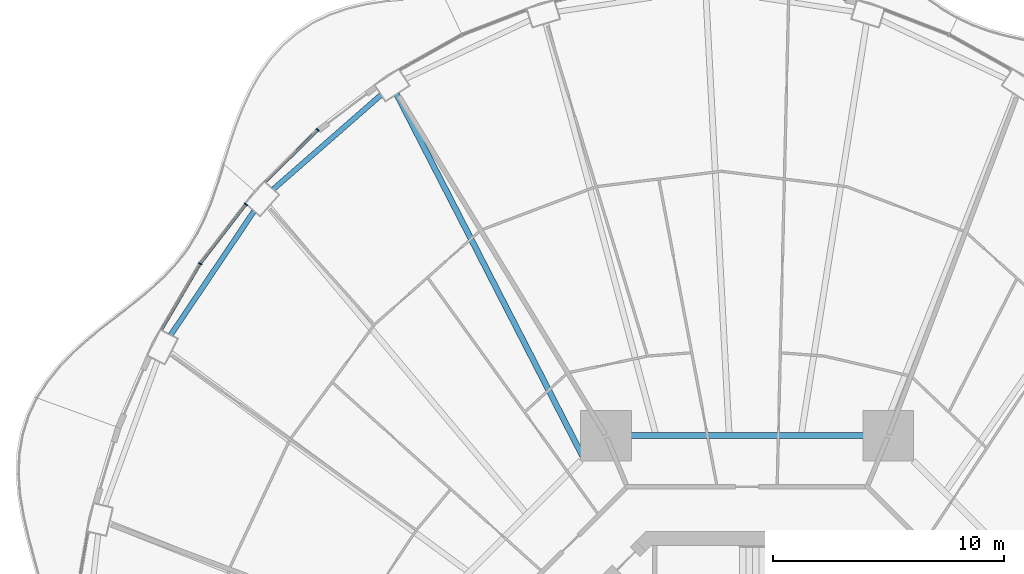
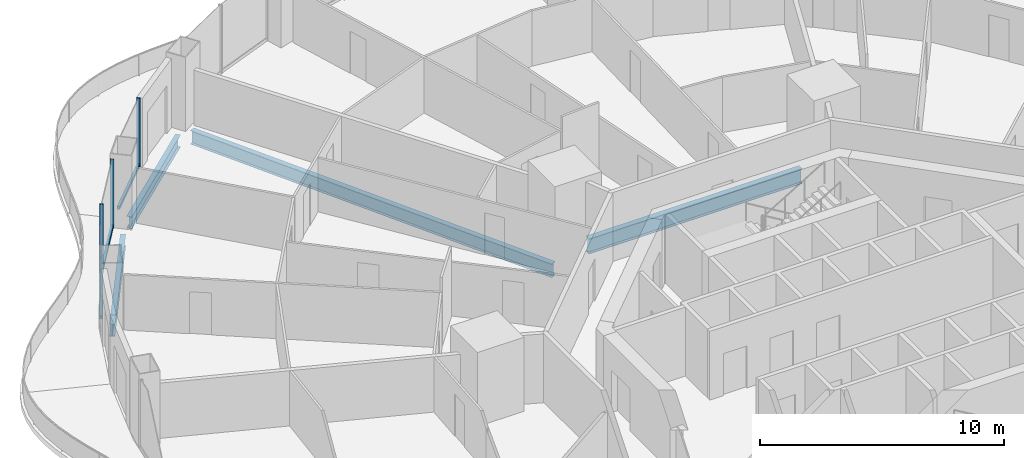
# One storey, part 8 of 22: 6 members, 4 beams, 3 elements without a shape of their own.
"""IFC4 building model written with IfcOpenShell, lengths in metres."""

from ifc_helpers import new_model, si_unit, direction, frame, origin, origin_2d, place, context, subcontext, project, spatial, rectangle, i_section, extrude, material, layer, layer_set, material_profile, profile_set, type_object, element, aggregate, save


model = new_model("IFC4")

# Units and contexts
model_context = context("Model", 3, precision=1e-05, world=origin(), true_north=direction((0.0, 1.0)))
body_context = subcontext(model_context, "Body", "Model", "MODEL_VIEW")
ifc_project = project(units=[si_unit("LENGTHUNIT", "METRE"), si_unit("AREAUNIT", "SQUARE_METRE"), si_unit("VOLUMEUNIT", "CUBIC_METRE"), si_unit("PLANEANGLEUNIT", "RADIAN"), si_unit("MASSUNIT", "GRAM", prefix="KILO")], contexts=[model_context])

# Site, building, storey
site_placement = place(None, origin())
site = spatial("IfcSite", under=ifc_project, at=site_placement, CompositionType="ELEMENT")
building_placement = place(site_placement, origin())
building = spatial("IfcBuilding", under=site, at=building_placement, Name="Nagisa Residences", CompositionType="ELEMENT")
storey_placement = place(building_placement, frame((0.0, 0.0, 99.199951171875)))
storey = spatial("IfcBuildingStorey", under=building, at=storey_placement, Name="L24", CompositionType="ELEMENT", Elevation=99.199951171875)

# Curtain wall, member
ifc_material_1 = material(Name="Concrete-coloured aluminium curtain wall system", Category="concrete")
ifc_layer = layer(ifc_material_1, 0.159912109375)
ifc_layer_set = layer_set([ifc_layer], Name="CW1 CURTAIN WALL")
curtain_wall_type = type_object("IfcCurtainWallType", Name="CW1 CURTAIN WALL", PredefinedType="NOTDEFINED", material=ifc_layer_set)
curtain_wall_1_placement = place(storey_placement, origin())
curtain_wall_1 = element("IfcCurtainWall", 1, at=curtain_wall_1_placement, inside=storey, type_object=curtain_wall_type, Name="cw:CW1:L24:17", PredefinedType="NOTDEFINED")
ifc_material_2 = material(Name="Concrete-coloured aluminium", Category="concrete")
ifc_material_profile_1 = material_profile(ifc_material_2, rectangle(XDim=0.159912109375, YDim=0.06005859375, at=origin_2d()), Name="CW1 MULLION 160x60")
ifc_profile_set_1 = profile_set([ifc_material_profile_1], Name="Concrete-coloured aluminium")
member_type_1 = type_object("IfcMemberType", Name="CW1 MULLION 160x60", PredefinedType="MULLION", material=ifc_profile_set_1)
member_1_placement = place(storey_placement, frame((-18.624267578125, 28.04248046875, 0.0), z_axis=(0.0, 0.0, 1.0), x_axis=(0.706376885714, -0.707835924016, 0.0)))
member_1 = element("IfcMember", 2, at=member_1_placement, type_object=member_type_1, Name="CW1 mullion", PredefinedType="MULLION", context=body_context, shape_type="SweptSolid", body=[
    extrude(rectangle(XDim=0.159912109375, YDim=0.06005859375, at=origin_2d()), origin(), (0.0, 0.0, 1.0), 3.43994140625),
])

curtain_wall_2_placement = place(storey_placement, origin())
curtain_wall_2 = element("IfcCurtainWall", 3, at=curtain_wall_2_placement, inside=storey, type_object=curtain_wall_type, Name="cw:CW1:L24:18", PredefinedType="NOTDEFINED")
member_2_placement = place(storey_placement, frame((-21.735107421875, 24.814697265625, 0.0), z_axis=(0.0, 0.0, 1.0), x_axis=(0.792070340816, -0.610429828235, 0.0)))
member_2 = element("IfcMember", 4, at=member_2_placement, type_object=member_type_1, Name="CW1 mullion", PredefinedType="MULLION", context=body_context, shape_type="SweptSolid", body=[
    extrude(rectangle(XDim=0.159912109375, YDim=0.06005859375, at=origin_2d()), origin(), (0.0, 0.0, 1.0), 3.43994140625),
])

curtain_wall_3_placement = place(storey_placement, origin())
curtain_wall_3 = element("IfcCurtainWall", 5, at=curtain_wall_3_placement, inside=storey, type_object=curtain_wall_type, Name="cw:CW1:L24:19", PredefinedType="NOTDEFINED")
member_3_placement = place(storey_placement, frame((-23.718017578125, 22.236328125, 0.0), z_axis=(0.0, 0.0, 1.0), x_axis=(0.862328898214, -0.506348567002, 0.0)))
member_3 = element("IfcMember", 6, at=member_3_placement, type_object=member_type_1, Name="CW1 mullion", PredefinedType="MULLION", context=body_context, shape_type="SweptSolid", body=[
    extrude(rectangle(XDim=0.159912109375, YDim=0.06005859375, at=origin_2d()), origin(), (0.0, 0.0, 1.0), 3.43994140625),
])

# Member
ifc_material_3 = material(Name="Concrete-coloured aluminium", Category="concrete")
ifc_material_profile_2 = material_profile(ifc_material_3, rectangle(XDim=0.1201171875, YDim=0.14990234375, at=origin_2d()), Name="CW1 TRANSOM 120x150")
ifc_profile_set_2 = profile_set([ifc_material_profile_2], Name="Concrete-coloured aluminium")
member_type_2 = type_object("IfcMemberType", Name="CW1 TRANSOM 120x150", PredefinedType="USERDEFINED", material=ifc_profile_set_2)
member_4_placement = place(storey_placement, frame((-18.60302734375, 28.0634765625, 0.074951171875), z_axis=(-0.707869817944, -0.706342920149, 0.0), x_axis=(0.706342920149, -0.707869817944, 0.0)))
member_4 = element("IfcMember", 7, at=member_4_placement, type_object=member_type_2, Name="CW1 transom", ObjectType="TRANSOM", PredefinedType="USERDEFINED", context=body_context, shape_type="SweptSolid", body=[
    extrude(rectangle(XDim=0.1201171875, YDim=0.14990234375, at=origin_2d()), origin(), (0.0, 0.0, 1.0), 3.19775390625),
])

aggregate(curtain_wall_1, [member_1, member_4])

member_5_placement = place(storey_placement, frame((-21.716796875, 24.83837890625, 0.074951171875), z_axis=(-0.61041202934, -0.792084057684, 0.0), x_axis=(0.792084057684, -0.61041202934, 0.0)))
member_5 = element("IfcMember", 8, at=member_5_placement, type_object=member_type_2, Name="CW1 transom", ObjectType="TRANSOM", PredefinedType="USERDEFINED", context=body_context, shape_type="SweptSolid", body=[
    extrude(rectangle(XDim=0.1201171875, YDim=0.14990234375, at=origin_2d()), origin(), (0.0, 0.0, 1.0), 3.262939453125),
])

aggregate(curtain_wall_2, [member_2, member_5])

member_6_placement = place(storey_placement, frame((-23.702880859375, 22.26220703125, 0.074951171875), z_axis=(-0.506384588027, -0.862307746114, 0.0), x_axis=(0.862307746114, -0.506384588027, 0.0)))
member_6 = element("IfcMember", 9, at=member_6_placement, type_object=member_type_2, Name="CW1 transom", ObjectType="TRANSOM", PredefinedType="USERDEFINED", context=body_context, shape_type="SweptSolid", body=[
    extrude(rectangle(XDim=0.1201171875, YDim=0.14990234375, at=origin_2d()), origin(), (0.0, 0.0, 1.0), 3.32470703125),
])

aggregate(curtain_wall_3, [member_3, member_6])

# Beams
ifc_material_4 = material(Name="Steel ASTM A572 Gr 50", Category="steel")
ifc_material_profile_3 = material_profile(ifc_material_4, i_section(OverallWidth=0.264892578125, OverallDepth=0.7529296875, WebThickness=0.01318359375, FlangeThickness=0.01708984375, at=origin_2d()), Name="W760x147")
ifc_profile_set_3 = profile_set([ifc_material_profile_3], Name="Steel ASTM A572 Gr 50")
beam_type_1 = type_object("IfcBeamType", Name="Inner ring beam W760x147", PredefinedType="BEAM", material=ifc_profile_set_3)
beam_1_placement = place(storey_placement, frame((5.04296875, 14.781982421875, -0.636474609375), z_axis=(-1.0, 0.0, 0.0), x_axis=(0.0, -1.0, 0.0)))
element("IfcBeam", 10, at=beam_1_placement, inside=storey, type_object=beam_type_1, Name="beam:L24:ib2", PredefinedType="BEAM", context=body_context, shape_type="SweptSolid", body=[
    extrude(i_section(OverallWidth=0.264892578125, OverallDepth=0.7529296875, WebThickness=0.01318359375, FlangeThickness=0.01708984375, at=origin_2d()), origin(), (0.0, 0.0, 1.0), 10.0859375),
])
ifc_material_5 = material(Name="Steel ASTM A572 Gr 50", Category="steel")
ifc_material_profile_4 = material_profile(ifc_material_5, i_section(OverallWidth=0.22802734375, OverallDepth=0.60302734375, WebThickness=0.010498046875, FlangeThickness=0.014892578125, at=origin_2d()), Name="W610x101")
ifc_profile_set_4 = profile_set([ifc_material_profile_4], Name="Steel ASTM A572 Gr 50")
beam_type_2 = type_object("IfcBeamType", Name="Perimeter ring beam W610x101", PredefinedType="BEAM", material=ifc_profile_set_4)
beam_2_placement = place(storey_placement, frame((-15.876220703125, 29.55859375, -0.5615234375), z_axis=(-0.752542612886, -0.658543556488, 0.0), x_axis=(0.658543556488, -0.752542612886, 0.0)))
element("IfcBeam", 11, at=beam_2_placement, inside=storey, type_object=beam_type_2, Name="beam:L24:pb09", PredefinedType="BEAM", context=body_context, shape_type="SweptSolid", body=[
    extrude(i_section(OverallWidth=0.22802734375, OverallDepth=0.60302734375, WebThickness=0.010498046875, FlangeThickness=0.014892578125, at=origin_2d()), origin(), (0.0, 0.0, 1.0), 6.212646484375),
])
beam_3_placement = place(storey_placement, frame((-21.384521484375, 24.521484375, -0.5615234375), z_axis=(-0.558221079259, -0.829692248168, 0.0), x_axis=(0.829692248168, -0.558221079259, 0.0)))
element("IfcBeam", 12, at=beam_3_placement, inside=storey, type_object=beam_type_2, Name="beam:L24:pb10", PredefinedType="BEAM", context=body_context, shape_type="SweptSolid", body=[
    extrude(i_section(OverallWidth=0.22802734375, OverallDepth=0.60302734375, WebThickness=0.010498046875, FlangeThickness=0.014892578125, at=origin_2d()), origin(), (0.0, 0.0, 1.0), 6.471435546875),
])
ifc_material_6 = material(Name="Steel ASTM A572 Gr 50", Category="steel")
ifc_material_profile_5 = material_profile(ifc_material_6, i_section(OverallWidth=0.2529296875, OverallDepth=0.677978515625, WebThickness=0.01171875, FlangeThickness=0.016357421875, at=origin_2d()), Name="W690x125")
ifc_profile_set_5 = profile_set([ifc_material_profile_5], Name="Steel ASTM A572 Gr 50")
beam_type_3 = type_object("IfcBeamType", Name="Radial beam W690x125", PredefinedType="BEAM", material=ifc_profile_set_5)
beam_4_placement = place(storey_placement, frame((-15.199951171875, 29.5927734375, -0.598876953125), z_axis=(0.456890609608, -0.889522889448, 0.0), x_axis=(0.889522889448, 0.456890609608, 0.0)))
element("IfcBeam", 13, at=beam_4_placement, inside=storey, type_object=beam_type_3, Name="beam:L24:rb09", PredefinedType="BEAM", context=body_context, shape_type="SweptSolid", body=[
    extrude(i_section(OverallWidth=0.2529296875, OverallDepth=0.677978515625, WebThickness=0.01171875, FlangeThickness=0.016357421875, at=origin_2d()), origin(), (0.0, 0.0, 1.0), 17.622314453125),
])

save(model, "model.ifc")
